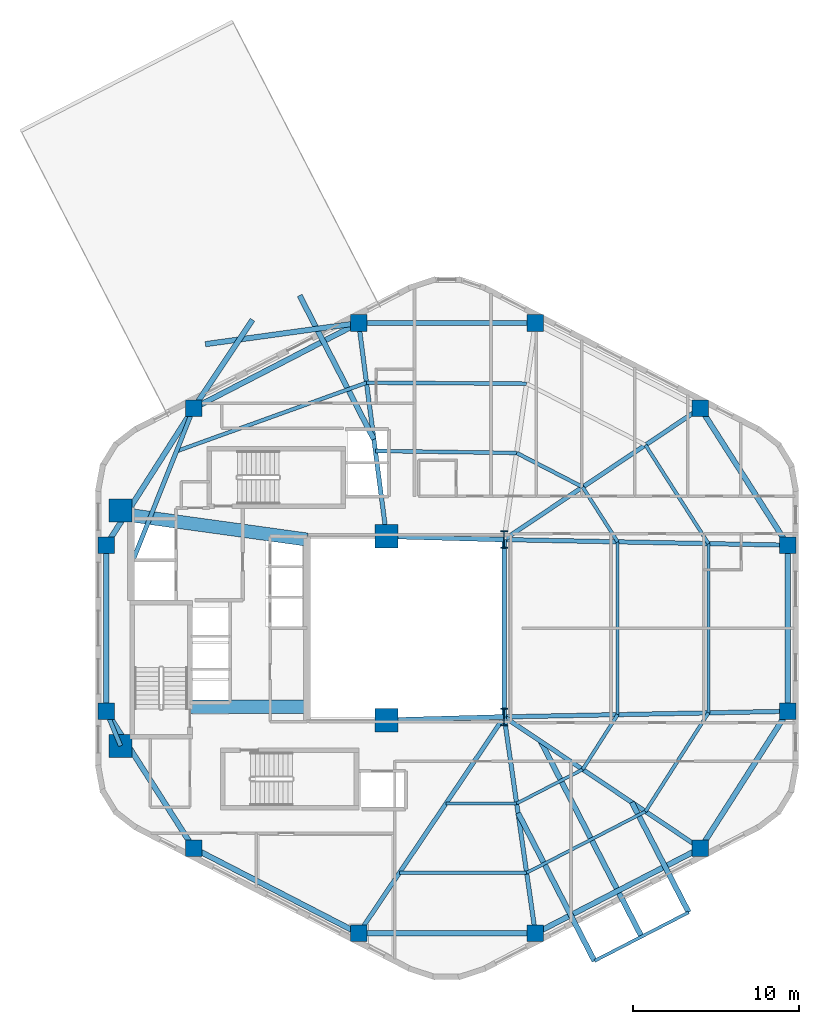
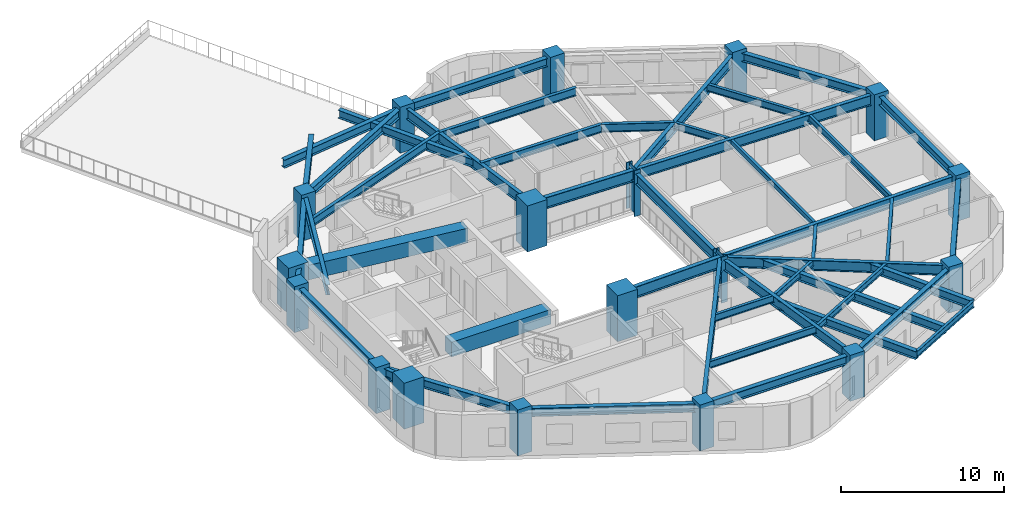
# One storey, part 1 of 8: 46 beams, 18 columns.
"""IFC4 building model written with IfcOpenShell, lengths in metres."""

from ifc_helpers import new_model, si_unit, direction, frame, origin, origin_2d, place, context, subcontext, project, spatial, rectangle, i_section, extrude, material, material_profile, profile_set, type_object, element, save


model = new_model("IFC4")

# Units and contexts
model_context = context("Model", 3, precision=1e-05, world=origin(), true_north=direction((0.0, 1.0)))
body_context = subcontext(model_context, "Body", "Model", "MODEL_VIEW")
ifc_project = project(units=[si_unit("LENGTHUNIT", "METRE"), si_unit("AREAUNIT", "SQUARE_METRE"), si_unit("VOLUMEUNIT", "CUBIC_METRE"), si_unit("PLANEANGLEUNIT", "RADIAN"), si_unit("MASSUNIT", "GRAM", prefix="KILO"), si_unit("THERMODYNAMICTEMPERATUREUNIT", "KELVIN"), si_unit("POWERUNIT", "WATT")], contexts=[model_context])

# Site, building, storey
site_placement = place(None, origin())
site = spatial("IfcSite", under=ifc_project, at=site_placement, CompositionType="ELEMENT")
building_placement = place(site_placement, origin())
building = spatial("IfcBuilding", under=site, at=building_placement, Name="Skarre Station Tower", CompositionType="ELEMENT")
storey_placement = place(building_placement, frame((0.0, 0.0, 149.85009765625)))
storey = spatial("IfcBuildingStorey", under=building, at=storey_placement, Name="L40", CompositionType="ELEMENT", Elevation=149.85009765625)

# Columns
ifc_material_1 = material(Name="Concrete C60/75", Category="concrete")
ifc_material_profile_1 = material_profile(ifc_material_1, rectangle(XDim=1.0, YDim=1.0, at=origin_2d()), Name="Concrete C60/75")
ifc_profile_set_1 = profile_set([ifc_material_profile_1], Name="Concrete C60/75")
column_type_1 = type_object("IfcColumnType", Name="RC Structural Column RC-COL-1000X1000", PredefinedType="COLUMN", material=ifc_profile_set_1)
for number, where, z_axis, x_axis, name in (
    (1, (51.291015625, 37.277099609375, 0.0), (0.0, 0.0, 1.0), (1.0, 0.0, 0.0), "L40 Zone 2 Perimeter Column F0C1"),
    (2, (41.3310546875, 42.41796875, 0.0), (0.0, 0.0, 1.0), (1.0, 0.0, 0.0), "L40 Zone 2 Perimeter Column F0C2"),
    (3, (30.6689453125, 42.41796875, 0.0), (0.0, 0.0, 1.0), (1.0, 0.0, 0.0), "L40 Zone 2 Perimeter Column F1C1"),
    (4, (20.708984375, 37.277099609375, 0.0), (0.0, 0.0, 1.0), (1.0, 0.0, 0.0), "L40 Zone 2 Perimeter Column F1C2"),
    (5, (15.431884765625, 29.010986328125, 0.0), (0.0, 0.0, 1.0), (1.0, 0.0, 0.0), "L40 Zone 2 Perimeter Column F2C1"),
    (6, (15.431884765625, 18.989013671875, 0.0), (0.0, 0.0, 1.0), (1.0, 0.0, 0.0), "L40 Zone 2 Perimeter Column F2C2"),
    (7, (20.708984375, 10.722900390625, 0.0), (0.0, 0.0, 1.0), (1.0, 0.0, 0.0), "L40 Zone 2 Perimeter Column F3C1"),
    (8, (30.6689453125, 5.58203125, 0.0), (0.0, 0.0, 1.0), (1.0, 0.0, 0.0), "L40 Zone 2 Perimeter Column F3C2"),
    (9, (41.3310546875, 5.58203125, 0.0), (0.0, 0.0, 1.0), (1.0, 0.0, 0.0), "L40 Zone 2 Perimeter Column F4C1"),
    (10, (51.291015625, 10.722900390625, 0.0), (0.0, 0.0, 1.0), (1.0, 0.0, 0.0), "L40 Zone 2 Perimeter Column F4C2"),
    (11, (56.568115234375, 18.989013671875, 0.0), (0.0, 0.0, 1.0), (1.0, 0.0, 0.0), "L40 Zone 2 Perimeter Column F5C1"),
    (12, (56.568115234375, 29.010986328125, 0.0), (0.0, 0.0, 1.0), (1.0, 0.0, 0.0), "L40 Zone 2 Perimeter Column F5C2"),
):
    element("IfcColumn", number, at=place(storey_placement, frame(where, z_axis=z_axis, x_axis=x_axis)), inside=storey, type_object=column_type_1, Name=name, PredefinedType="COLUMN", context=body_context, shape_type="SweptSolid", body=[
        extrude(rectangle(XDim=1.0, YDim=1.0, at=origin_2d()), origin(), (0.0, 0.0, 1.0), 3.449951171875),
    ])
ifc_material_2 = material(Name="Concrete C70/85", Category="concrete")
ifc_material_profile_2 = material_profile(ifc_material_2, rectangle(XDim=1.39990234375, YDim=1.39990234375, at=origin_2d()), Name="Concrete C70/85")
ifc_profile_set_2 = profile_set([ifc_material_profile_2], Name="Concrete C70/85")
column_type_2 = type_object("IfcColumnType", Name="RC Structural Column RC-COL-1400X1400", PredefinedType="COLUMN", material=ifc_profile_set_2)
for number, where, z_axis, x_axis, name in (
    (13, (16.300048828125, 16.89990234375, 0.0), (0.0, 0.0, 1.0), (1.0, 0.0, 0.0), "L40 Core Column CC-SW"),
    (14, (16.300048828125, 31.10009765625, 0.0), (0.0, 0.0, 1.0), (1.0, 0.0, 0.0), "L40 Core Column CC-NW"),
    (15, (32.35009765625, 18.449951171875, 0.0), (0.0, 0.0, 1.0), (1.0, 0.0, 0.0), "L40 Core Column CC-SE"),
    (16, (32.35009765625, 29.550048828125, 0.0), (0.0, 0.0, 1.0), (1.0, 0.0, 0.0), "L40 Core Column CC-NE"),
):
    element("IfcColumn", number, at=place(storey_placement, frame(where, z_axis=z_axis, x_axis=x_axis)), inside=storey, type_object=column_type_2, Name=name, PredefinedType="COLUMN", context=body_context, shape_type="SweptSolid", body=[
        extrude(rectangle(XDim=1.39990234375, YDim=1.39990234375, at=origin_2d()), origin(), (0.0, 0.0, 1.0), 3.449951171875),
    ])
ifc_material_3 = material(Name="Steel ASTM A913 Grade 65", Category="steel")
ifc_material_profile_3 = material_profile(ifc_material_3, i_section(OverallWidth=0.409912109375, OverallDepth=1.041015625, WebThickness=0.031005859375, FlangeThickness=0.055908203125, at=origin_2d()), Name="Steel ASTM A913 Grade 65")
ifc_profile_set_3 = profile_set([ifc_material_profile_3], Name="Steel ASTM A913 Grade 65")
column_type_3 = type_object("IfcColumnType", Name="Steel Column W40X397", PredefinedType="COLUMN", material=ifc_profile_set_3)
for number, where, z_axis, x_axis, name in (
    (17, (39.449951171875, 18.64990234375, 0.0), (0.0, 0.0, 1.0), (1.0, 0.0, 0.0), "L40 Atrium Spine Column AC-SE"),
    (18, (39.449951171875, 29.35009765625, 0.0), (0.0, 0.0, 1.0), (1.0, 0.0, 0.0), "L40 Atrium Spine Column AC-NE"),
):
    element("IfcColumn", number, at=place(storey_placement, frame(where, z_axis=z_axis, x_axis=x_axis)), inside=storey, type_object=column_type_3, Name=name, PredefinedType="COLUMN", context=body_context, shape_type="SweptSolid", body=[
        extrude(i_section(OverallWidth=0.409912109375, OverallDepth=1.041015625, WebThickness=0.031005859375, FlangeThickness=0.055908203125, at=origin_2d()), origin(), (0.0, 0.0, 1.0), 3.449951171875),
    ])

# Beams
ifc_material_profile_4 = material_profile(ifc_material_2, rectangle(XDim=0.800048828125, YDim=1.10009765625, at=origin_2d()), Name="Concrete C70/85")
ifc_profile_set_4 = profile_set([ifc_material_profile_4], Name="Concrete C70/85")
beam_type_1 = type_object("IfcBeamType", Name="RC Core Coupling Lintel 800x1100", PredefinedType="LINTEL", material=ifc_profile_set_4)
beam_1_placement = place(storey_placement, frame((20.489990234375, 19.260009765625, 2.639892578125), z_axis=(1.0, 0.0, 0.0), x_axis=(0.0, 1.0, 0.0)))
element("IfcBeam", 19, at=beam_1_placement, inside=storey, type_object=beam_type_1, Name="L40 South Core Coupling Lintel", PredefinedType="LINTEL", context=body_context, shape_type="SweptSolid", body=[
    extrude(rectangle(XDim=0.800048828125, YDim=1.10009765625, at=origin_2d()), origin(), (0.0, 0.0, 1.0), 7.06005859375),
])
beam_2_placement = place(storey_placement, frame((17.050048828125, 30.800048828125, 2.639892578125), z_axis=(0.990599723633, -0.136792498109, 0.0), x_axis=(0.136792498109, 0.990599723633, 0.0)))
element("IfcBeam", 20, at=beam_2_placement, inside=storey, type_object=beam_type_1, Name="L40 North Core Coupling Lintel", PredefinedType="LINTEL", context=body_context, shape_type="SweptSolid", body=[
    extrude(rectangle(XDim=0.800048828125, YDim=1.10009765625, at=origin_2d()), origin(), (0.0, 0.0, 1.0), 10.599609375),
])
ifc_material_4 = material(Name="Steel ASTM A992 Grade 50", Category="steel")
ifc_material_profile_5 = material_profile(ifc_material_4, i_section(OverallWidth=0.323974609375, OverallDepth=0.611083984375, WebThickness=0.012939453125, FlangeThickness=0.01904296875, at=origin_2d()), Name="Steel ASTM A992 Grade 50")
ifc_profile_set_5 = profile_set([ifc_material_profile_5], Name="Steel ASTM A992 Grade 50")
beam_type_2 = type_object("IfcBeamType", Name="Steel Beam W24X104", PredefinedType="BEAM", material=ifc_profile_set_5)
beam_3_placement = place(storey_placement, frame((20.708984375, 37.277099609375, 2.7998046875), z_axis=(0.554374893847, 0.83226707076, 0.0), x_axis=(-0.83226707076, 0.554374893847, 0.0)))
element("IfcBeam", 21, at=beam_3_placement, inside=storey, type_object=beam_type_2, Name="L40 TB-L41-F1 Center Outrigger Beam", PredefinedType="BEAM", context=body_context, shape_type="SweptSolid", body=[
    extrude(i_section(OverallWidth=0.323974609375, OverallDepth=0.611083984375, WebThickness=0.012939453125, FlangeThickness=0.01904296875, at=origin_2d()), origin(), (0.0, 0.0, 1.0), 6.408935546875),
])
beam_4_placement = place(storey_placement, frame((31.5859375, 35.39990234375, 2.7998046875), z_axis=(-0.458674754845, 0.888604225326, 0.0), x_axis=(-0.888604225326, -0.458674754845, 0.0)))
element("IfcBeam", 22, at=beam_4_placement, inside=storey, type_object=beam_type_2, Name="L40 TB-L41-F1 Outrigger Beam 1", PredefinedType="BEAM", context=body_context, shape_type="SweptSolid", body=[
    extrude(i_section(OverallWidth=0.323974609375, OverallDepth=0.611083984375, WebThickness=0.012939453125, FlangeThickness=0.01904296875, at=origin_2d()), origin(), (0.0, 0.0, 1.0), 9.767333984375),
])
beam_5_placement = place(storey_placement, frame((30.6689453125, 42.41796875, 2.7998046875), z_axis=(-0.990635036315, -0.13653653293, 0.0), x_axis=(0.13653653293, -0.990635036315, 0.0)))
element("IfcBeam", 23, at=beam_5_placement, inside=storey, type_object=beam_type_2, Name="L40 TB-L41-F1 Outrigger Beam 2", PredefinedType="BEAM", context=body_context, shape_type="SweptSolid", body=[
    extrude(i_section(OverallWidth=0.323974609375, OverallDepth=0.611083984375, WebThickness=0.012939453125, FlangeThickness=0.01904296875, at=origin_2d()), origin(), (0.0, 0.0, 1.0), 9.33740234375),
])
beam_6_placement = place(storey_placement, frame((41.655029296875, 17.174072265625, 2.7998046875), z_axis=(0.458663551569, -0.888610008081, 0.0), x_axis=(0.888610008081, 0.458663551569, 0.0)))
element("IfcBeam", 24, at=beam_6_placement, inside=storey, type_object=beam_type_2, Name="L40 TB-L41-F4 Center Outrigger Beam", PredefinedType="BEAM", context=body_context, shape_type="SweptSolid", body=[
    extrude(i_section(OverallWidth=0.323974609375, OverallDepth=0.611083984375, WebThickness=0.012939453125, FlangeThickness=0.01904296875, at=origin_2d()), origin(), (0.0, 0.0, 1.0), 13.262451171875),
])
beam_7_placement = place(storey_placement, frame((40.284912109375, 12.85009765625, 2.7998046875), z_axis=(0.458683146358, -0.888599893792, 0.0), x_axis=(0.888599893792, 0.458683146358, 0.0)))
element("IfcBeam", 25, at=beam_7_placement, inside=storey, type_object=beam_type_2, Name="L40 TB-L41-F4 Outrigger Beam 1", PredefinedType="BEAM", context=body_context, shape_type="SweptSolid", body=[
    extrude(i_section(OverallWidth=0.323974609375, OverallDepth=0.611083984375, WebThickness=0.012939453125, FlangeThickness=0.01904296875, at=origin_2d()), origin(), (0.0, 0.0, 1.0), 10.048583984375),
])
beam_8_placement = place(storey_placement, frame((47.156982421875, 13.490966796875, 2.7998046875), z_axis=(0.458648750807, -0.888617647463, 0.0), x_axis=(0.888617647463, 0.458648750807, 0.0)))
element("IfcBeam", 26, at=beam_8_placement, inside=storey, type_object=beam_type_2, Name="L40 TB-L41-F4 Outrigger Beam 2", PredefinedType="BEAM", context=body_context, shape_type="SweptSolid", body=[
    extrude(i_section(OverallWidth=0.323974609375, OverallDepth=0.611083984375, WebThickness=0.012939453125, FlangeThickness=0.01904296875, at=origin_2d()), origin(), (0.0, 0.0, 1.0), 7.465576171875),
])
ifc_material_profile_6 = material_profile(ifc_material_4, i_section(OverallWidth=0.26806640625, OverallDepth=0.77001953125, WebThickness=0.01611328125, FlangeThickness=0.02490234375, at=origin_2d()), Name="Steel ASTM A992 Grade 50")
ifc_profile_set_6 = profile_set([ifc_material_profile_6], Name="Steel ASTM A992 Grade 50")
beam_type_3 = type_object("IfcBeamType", Name="Steel Beam W30X132", PredefinedType="BEAM", material=ifc_profile_set_6)
beam_9_placement = place(storey_placement, frame((39.449951171875, 18.64990234375, 2.804931640625), z_axis=(0.0, 1.0, 0.0), x_axis=(-1.0, 0.0, 0.0)))
element("IfcBeam", 27, at=beam_9_placement, inside=storey, type_object=beam_type_3, Name="L40 Atrium East Edge Girder", PredefinedType="BEAM", context=body_context, shape_type="SweptSolid", body=[
    extrude(i_section(OverallWidth=0.26806640625, OverallDepth=0.77001953125, WebThickness=0.01611328125, FlangeThickness=0.02490234375, at=origin_2d()), origin(), (0.0, 0.0, 1.0), 10.7001953125),
])
beam_10_placement = place(storey_placement, frame((39.449951171875, 29.35009765625, 2.804931640625), z_axis=(0.830981218317, 0.556300471692, 0.0), x_axis=(-0.556300471692, 0.830981218317, 0.0)))
element("IfcBeam", 28, at=beam_10_placement, inside=storey, type_object=beam_type_3, Name="L40 Radial Floor Girder F0C1", PredefinedType="BEAM", context=body_context, shape_type="SweptSolid", body=[
    extrude(i_section(OverallWidth=0.26806640625, OverallDepth=0.77001953125, WebThickness=0.01611328125, FlangeThickness=0.02490234375, at=origin_2d()), origin(), (0.0, 0.0, 1.0), 14.24951171875),
])
beam_11_placement = place(storey_placement, frame((32.35009765625, 29.550048828125, 2.804931640625), z_axis=(-0.129545878778, 0.991573429097, 0.0), x_axis=(-0.991573429097, -0.129545878778, 0.0)))
element("IfcBeam", 29, at=beam_11_placement, inside=storey, type_object=beam_type_3, Name="L40 Radial Floor Girder F1C1", PredefinedType="BEAM", context=body_context, shape_type="SweptSolid", body=[
    extrude(i_section(OverallWidth=0.26806640625, OverallDepth=0.77001953125, WebThickness=0.01611328125, FlangeThickness=0.02490234375, at=origin_2d()), origin(), (0.0, 0.0, 1.0), 12.977294921875),
])
beam_12_placement = place(storey_placement, frame((17.010009765625, 28.0, 2.804931640625), z_axis=(0.370366288946, 0.928885790618, 0.0), x_axis=(-0.928885790618, 0.370366288946, 0.0)))
element("IfcBeam", 30, at=beam_12_placement, inside=storey, type_object=beam_type_3, Name="L40 Radial Floor Girder F1C2", PredefinedType="BEAM", context=body_context, shape_type="SweptSolid", body=[
    extrude(i_section(OverallWidth=0.26806640625, OverallDepth=0.77001953125, WebThickness=0.01611328125, FlangeThickness=0.02490234375, at=origin_2d()), origin(), (0.0, 0.0, 1.0), 9.9873046875),
])
beam_13_placement = place(storey_placement, frame((16.300048828125, 16.89990234375, 2.804931640625), z_axis=(-0.383749333092, 0.923437301256, 0.0), x_axis=(-0.923437301256, -0.383749333092, 0.0)))
element("IfcBeam", 31, at=beam_13_placement, inside=storey, type_object=beam_type_3, Name="L40 Radial Floor Girder F2C2", PredefinedType="BEAM", context=body_context, shape_type="SweptSolid", body=[
    extrude(i_section(OverallWidth=0.26806640625, OverallDepth=0.77001953125, WebThickness=0.01611328125, FlangeThickness=0.02490234375, at=origin_2d()), origin(), (0.0, 0.0, 1.0), 2.26220703125),
])
beam_14_placement = place(storey_placement, frame((39.449951171875, 18.64990234375, 2.804931640625), z_axis=(-0.55773464691, -0.830019315219, 0.0), x_axis=(0.830019315219, -0.55773464691, 0.0)))
element("IfcBeam", 32, at=beam_14_placement, inside=storey, type_object=beam_type_3, Name="L40 Radial Floor Girder F3C2", PredefinedType="BEAM", context=body_context, shape_type="SweptSolid", body=[
    extrude(i_section(OverallWidth=0.26806640625, OverallDepth=0.77001953125, WebThickness=0.01611328125, FlangeThickness=0.02490234375, at=origin_2d()), origin(), (0.0, 0.0, 1.0), 15.744140625),
])
beam_15_placement = place(storey_placement, frame((39.449951171875, 18.64990234375, 2.804931640625), z_axis=(0.142480121776, -0.989797663616, 0.0), x_axis=(0.989797663616, 0.142480121776, 0.0)))
element("IfcBeam", 33, at=beam_15_placement, inside=storey, type_object=beam_type_3, Name="L40 Radial Floor Girder F4C1", PredefinedType="BEAM", context=body_context, shape_type="SweptSolid", body=[
    extrude(i_section(OverallWidth=0.26806640625, OverallDepth=0.77001953125, WebThickness=0.01611328125, FlangeThickness=0.02490234375, at=origin_2d()), origin(), (0.0, 0.0, 1.0), 13.20263671875),
])
beam_16_placement = place(storey_placement, frame((39.449951171875, 18.64990234375, 2.804931640625), z_axis=(0.830981218317, -0.556300471692, 0.0), x_axis=(0.556300471692, 0.830981218317, 0.0)))
element("IfcBeam", 34, at=beam_16_placement, inside=storey, type_object=beam_type_3, Name="L40 Radial Floor Girder F4C2", PredefinedType="BEAM", context=body_context, shape_type="SweptSolid", body=[
    extrude(i_section(OverallWidth=0.26806640625, OverallDepth=0.77001953125, WebThickness=0.01611328125, FlangeThickness=0.02490234375, at=origin_2d()), origin(), (0.0, 0.0, 1.0), 14.24951171875),
])
for number, where, z_axis, x_axis, name in (
    (35, (39.449951171875, 18.64990234375, 2.804931640625), (0.999803839107, 0.019806143142, 0.0), (-0.019806143142, 0.999803839107, 0.0), "L40 Radial Floor Girder F5C1"),
    (36, (39.449951171875, 29.35009765625, 2.804931640625), (0.999803839107, -0.019806143142, 0.0), (0.019806143142, 0.999803839107, 0.0), "L40 Radial Floor Girder F5C2"),
):
    element("IfcBeam", number, at=place(storey_placement, frame(where, z_axis=z_axis, x_axis=x_axis)), inside=storey, type_object=beam_type_3, Name=name, PredefinedType="BEAM", context=body_context, shape_type="SweptSolid", body=[
        extrude(i_section(OverallWidth=0.26806640625, OverallDepth=0.77001953125, WebThickness=0.01611328125, FlangeThickness=0.02490234375, at=origin_2d()), origin(), (0.0, 0.0, 1.0), 17.12158203125),
    ])
ifc_material_profile_7 = material_profile(ifc_material_4, i_section(OverallWidth=0.2919921875, OverallDepth=0.85888671875, WebThickness=0.01708984375, FlangeThickness=0.031005859375, at=origin_2d()), Name="Steel ASTM A992 Grade 50")
ifc_profile_set_7 = profile_set([ifc_material_profile_7], Name="Steel ASTM A992 Grade 50")
beam_type_4 = type_object("IfcBeamType", Name="Steel Beam W33X169", PredefinedType="BEAM", material=ifc_profile_set_7)
for number, where, z_axis, x_axis, name in (
    (37, (32.35009765625, 18.449951171875, 2.760986328125), (0.999603666405, 0.028151556095, 0.0), (-0.028151556095, 0.999603666405, 0.0), "L40 Atrium South Edge Girder"),
    (38, (32.35009765625, 29.550048828125, 2.760986328125), (0.999603666405, -0.028151556095, 0.0), (0.028151556095, 0.999603666405, 0.0), "L40 Atrium North Edge Girder"),
):
    element("IfcBeam", number, at=place(storey_placement, frame(where, z_axis=z_axis, x_axis=x_axis)), inside=storey, type_object=beam_type_4, Name=name, PredefinedType="BEAM", context=body_context, shape_type="SweptSolid", body=[
        extrude(i_section(OverallWidth=0.2919921875, OverallDepth=0.85888671875, WebThickness=0.01708984375, FlangeThickness=0.031005859375, at=origin_2d()), origin(), (0.0, 0.0, 1.0), 7.102783203125),
    ])
ifc_material_profile_8 = material_profile(ifc_material_4, i_section(OverallWidth=0.19091796875, OverallDepth=0.45703125, WebThickness=0.009033203125, FlangeThickness=0.013916015625, at=origin_2d()), Name="Steel ASTM A992 Grade 50")
ifc_profile_set_8 = profile_set([ifc_material_profile_8], Name="Steel ASTM A992 Grade 50")
beam_type_5 = type_object("IfcBeamType", Name="Steel Joist W18X50", PredefinedType="JOIST", material=ifc_profile_set_8)
beam_17_placement = place(storey_placement, frame((40.201904296875, 13.423095703125, 2.9609375), z_axis=(0.888658598325, 0.458569401097, 0.0), x_axis=(-0.458569401097, 0.888658598325, 0.0)))
element("IfcBeam", 39, at=beam_17_placement, inside=storey, type_object=beam_type_5, Name="L40 Auxiliary Composite Joist 9", PredefinedType="JOIST", context=body_context, shape_type="SweptSolid", body=[
    extrude(i_section(OverallWidth=0.19091796875, OverallDepth=0.45703125, WebThickness=0.009033203125, FlangeThickness=0.013916015625, at=origin_2d()), origin(), (0.0, 0.0, 1.0), 4.4833984375),
])
beam_18_placement = place(storey_placement, frame((40.803955078125, 9.240966796875, 2.9609375), z_axis=(0.888599977053, 0.458682985057, 0.0), x_axis=(-0.458682985057, 0.888599977053, 0.0)))
element("IfcBeam", 40, at=beam_18_placement, inside=storey, type_object=beam_type_5, Name="L40 Auxiliary Composite Joist 10", PredefinedType="JOIST", context=body_context, shape_type="SweptSolid", body=[
    extrude(i_section(OverallWidth=0.19091796875, OverallDepth=0.45703125, WebThickness=0.009033203125, FlangeThickness=0.013916015625, at=origin_2d()), origin(), (0.0, 0.0, 1.0), 8.0712890625),
])
beam_19_placement = place(storey_placement, frame((46.297119140625, 18.785888671875, 2.9609375), z_axis=(0.0, 1.0, 0.0), x_axis=(-1.0, 0.0, 0.0)))
element("IfcBeam", 41, at=beam_19_placement, inside=storey, type_object=beam_type_5, Name="L40 Auxiliary Composite Joist 13", PredefinedType="JOIST", context=body_context, shape_type="SweptSolid", body=[
    extrude(i_section(OverallWidth=0.19091796875, OverallDepth=0.45703125, WebThickness=0.009033203125, FlangeThickness=0.013916015625, at=origin_2d()), origin(), (0.0, 0.0, 1.0), 10.42822265625),
])
beam_20_placement = place(storey_placement, frame((51.77490234375, 18.89404296875, 2.9609375), z_axis=(0.0, 1.0, 0.0), x_axis=(-1.0, 0.0, 0.0)))
element("IfcBeam", 42, at=beam_20_placement, inside=storey, type_object=beam_type_5, Name="L40 Auxiliary Composite Joist 14", PredefinedType="JOIST", context=body_context, shape_type="SweptSolid", body=[
    extrude(i_section(OverallWidth=0.19091796875, OverallDepth=0.45703125, WebThickness=0.009033203125, FlangeThickness=0.013916015625, at=origin_2d()), origin(), (0.0, 0.0, 1.0), 10.2119140625),
])
beam_21_placement = place(storey_placement, frame((44.89404296875, 3.9208984375, 2.876953125), z_axis=(0.888569497845, 0.458742027178, 0.0), x_axis=(-0.458742027178, 0.888569497845, 0.0)))
element("IfcBeam", 43, at=beam_21_placement, inside=storey, type_object=beam_type_5, Name="L40 TB-L41-F4 Rim Beam", PredefinedType="JOIST", context=body_context, shape_type="SweptSolid", body=[
    extrude(i_section(OverallWidth=0.19091796875, OverallDepth=0.45703125, WebThickness=0.009033203125, FlangeThickness=0.013916015625, at=origin_2d()), origin(), (0.0, 0.0, 1.0), 6.400146484375),
])
ifc_material_profile_9 = material_profile(ifc_material_4, i_section(OverallWidth=0.208984375, OverallDepth=0.532958984375, WebThickness=0.010009765625, FlangeThickness=0.01611328125, at=origin_2d()), Name="Steel ASTM A992 Grade 50")
ifc_profile_set_9 = profile_set([ifc_material_profile_9], Name="Steel ASTM A992 Grade 50")
beam_type_6 = type_object("IfcBeamType", Name="Steel Joist W21X62", PredefinedType="JOIST", material=ifc_profile_set_9)
beam_22_placement = place(storey_placement, frame((35.93798828125, 13.423095703125, 2.9228515625), z_axis=(1.0, 0.0, 0.0), x_axis=(0.0, 1.0, 0.0)))
element("IfcBeam", 44, at=beam_22_placement, inside=storey, type_object=beam_type_6, Name="L40 Auxiliary Composite Joist 7", PredefinedType="JOIST", context=body_context, shape_type="SweptSolid", body=[
    extrude(i_section(OverallWidth=0.208984375, OverallDepth=0.532958984375, WebThickness=0.010009765625, FlangeThickness=0.01611328125, at=origin_2d()), origin(), (0.0, 0.0, 1.0), 4.263916015625),
])
beam_23_placement = place(storey_placement, frame((33.1279296875, 9.240966796875, 2.9228515625), z_axis=(1.0, 0.0, 0.0), x_axis=(0.0, 1.0, 0.0)))
element("IfcBeam", 45, at=beam_23_placement, inside=storey, type_object=beam_type_6, Name="L40 Auxiliary Composite Joist 8", PredefinedType="JOIST", context=body_context, shape_type="SweptSolid", body=[
    extrude(i_section(OverallWidth=0.208984375, OverallDepth=0.532958984375, WebThickness=0.010009765625, FlangeThickness=0.01611328125, at=origin_2d()), origin(), (0.0, 0.0, 1.0), 7.676025390625),
])
beam_24_placement = place(storey_placement, frame((44.18603515625, 15.47900390625, 2.9228515625), z_axis=(0.538090955129, 0.842886780065, 0.0), x_axis=(-0.842886780065, 0.538090955129, 0.0)))
element("IfcBeam", 46, at=beam_24_placement, inside=storey, type_object=beam_type_6, Name="L40 Auxiliary Composite Joist 11", PredefinedType="JOIST", context=body_context, shape_type="SweptSolid", body=[
    extrude(i_section(OverallWidth=0.208984375, OverallDepth=0.532958984375, WebThickness=0.010009765625, FlangeThickness=0.01611328125, at=origin_2d()), origin(), (0.0, 0.0, 1.0), 3.92333984375),
])
beam_25_placement = place(storey_placement, frame((47.97607421875, 12.943115234375, 2.9228515625), z_axis=(0.538072046089, 0.842898851119, 0.0), x_axis=(-0.842898851119, 0.538072046089, 0.0)))
element("IfcBeam", 47, at=beam_25_placement, inside=storey, type_object=beam_type_6, Name="L40 Auxiliary Composite Joist 12", PredefinedType="JOIST", context=body_context, shape_type="SweptSolid", body=[
    extrude(i_section(OverallWidth=0.208984375, OverallDepth=0.532958984375, WebThickness=0.010009765625, FlangeThickness=0.01611328125, at=origin_2d()), origin(), (0.0, 0.0, 1.0), 7.06005859375),
])
beam_26_placement = place(storey_placement, frame((46.297119140625, 29.214111328125, 2.9228515625), z_axis=(-0.538090955129, 0.842886780065, 0.0), x_axis=(-0.842886780065, -0.538090955129, 0.0)))
element("IfcBeam", 48, at=beam_26_placement, inside=storey, type_object=beam_type_6, Name="L40 Auxiliary Composite Joist 15", PredefinedType="JOIST", context=body_context, shape_type="SweptSolid", body=[
    extrude(i_section(OverallWidth=0.208984375, OverallDepth=0.532958984375, WebThickness=0.010009765625, FlangeThickness=0.01611328125, at=origin_2d()), origin(), (0.0, 0.0, 1.0), 3.92333984375),
])
beam_27_placement = place(storey_placement, frame((51.77490234375, 29.10595703125, 2.9228515625), z_axis=(-0.538072046089, 0.842898851119, 0.0), x_axis=(-0.842898851119, -0.538072046089, 0.0)))
element("IfcBeam", 49, at=beam_27_placement, inside=storey, type_object=beam_type_6, Name="L40 Auxiliary Composite Joist 16", PredefinedType="JOIST", context=body_context, shape_type="SweptSolid", body=[
    extrude(i_section(OverallWidth=0.208984375, OverallDepth=0.532958984375, WebThickness=0.010009765625, FlangeThickness=0.01611328125, at=origin_2d()), origin(), (0.0, 0.0, 1.0), 7.06005859375),
])
ifc_material_profile_10 = material_profile(ifc_material_4, i_section(OverallWidth=0.22802734375, OverallDepth=0.60791015625, WebThickness=0.010986328125, FlangeThickness=0.01708984375, at=origin_2d()), Name="Steel ASTM A992 Grade 50")
ifc_profile_set_10 = profile_set([ifc_material_profile_10], Name="Steel ASTM A992 Grade 50")
beam_type_7 = type_object("IfcBeamType", Name="Steel Joist W24X76", PredefinedType="JOIST", material=ifc_profile_set_10)
beam_28_placement = place(storey_placement, frame((44.18603515625, 32.52099609375, 2.885986328125), z_axis=(-0.888658598325, 0.458569401097, 0.0), x_axis=(-0.458569401097, -0.888658598325, 0.0)))
element("IfcBeam", 50, at=beam_28_placement, inside=storey, type_object=beam_type_7, Name="L40 Secondary Floor Joist 1", PredefinedType="JOIST", context=body_context, shape_type="SweptSolid", body=[
    extrude(i_section(OverallWidth=0.22802734375, OverallDepth=0.60791015625, WebThickness=0.010986328125, FlangeThickness=0.01708984375, at=origin_2d()), origin(), (0.0, 0.0, 1.0), 4.4833984375),
])
beam_29_placement = place(storey_placement, frame((40.201904296875, 34.576904296875, 2.885986328125), z_axis=(-0.999900725817, 0.014090369396, 0.0), x_axis=(-0.014090369396, -0.999900725817, 0.0)))
element("IfcBeam", 51, at=beam_29_placement, inside=storey, type_object=beam_type_7, Name="L40 Secondary Floor Joist 3", PredefinedType="JOIST", context=body_context, shape_type="SweptSolid", body=[
    extrude(i_section(OverallWidth=0.22802734375, OverallDepth=0.60791015625, WebThickness=0.010986328125, FlangeThickness=0.01708984375, at=origin_2d()), origin(), (0.0, 0.0, 1.0), 8.524658203125),
])
beam_30_placement = place(storey_placement, frame((40.803955078125, 38.759033203125, 2.885986328125), z_axis=(-0.999983266349, 0.005785068917, 0.0), x_axis=(-0.005785068917, -0.999983266349, 0.0)))
element("IfcBeam", 52, at=beam_30_placement, inside=storey, type_object=beam_type_7, Name="L40 Secondary Floor Joist 4", PredefinedType="JOIST", context=body_context, shape_type="SweptSolid", body=[
    extrude(i_section(OverallWidth=0.22802734375, OverallDepth=0.60791015625, WebThickness=0.010986328125, FlangeThickness=0.01708984375, at=origin_2d()), origin(), (0.0, 0.0, 1.0), 9.664306640625),
])
beam_31_placement = place(storey_placement, frame((31.139892578125, 38.81494140625, 2.885986328125), z_axis=(-0.940679663546, -0.339295992594, 0.0), x_axis=(0.339295992594, -0.940679663546, 0.0)))
element("IfcBeam", 53, at=beam_31_placement, inside=storey, type_object=beam_type_7, Name="L40 Secondary Floor Joist 6", PredefinedType="JOIST", context=body_context, shape_type="SweptSolid", body=[
    extrude(i_section(OverallWidth=0.22802734375, OverallDepth=0.60791015625, WebThickness=0.010986328125, FlangeThickness=0.01708984375, at=origin_2d()), origin(), (0.0, 0.0, 1.0), 12.18994140625),
])
ifc_material_profile_11 = material_profile(ifc_material_4, i_section(OverallWidth=0.327880859375, OverallDepth=0.6279296875, WebThickness=0.01708984375, FlangeThickness=0.028076171875, at=origin_2d()), Name="Steel ASTM A992 Grade 50")
ifc_profile_set_11 = profile_set([ifc_material_profile_11], Name="Steel ASTM A992 Grade 50")
beam_type_8 = type_object("IfcBeamType", Name="Steel Spandrel W24X146", PredefinedType="SPANDREL", material=ifc_profile_set_11)
beam_32_placement = place(storey_placement, frame((41.3310546875, 42.41796875, 2.8759765625), z_axis=(-1.0, 0.0, 0.0), x_axis=(0.0, -1.0, 0.0)))
element("IfcBeam", 54, at=beam_32_placement, inside=storey, type_object=beam_type_8, Name="L40 Facet Spandrel Beam 2", PredefinedType="SPANDREL", context=body_context, shape_type="SweptSolid", body=[
    extrude(i_section(OverallWidth=0.327880859375, OverallDepth=0.6279296875, WebThickness=0.01708984375, FlangeThickness=0.028076171875, at=origin_2d()), origin(), (0.0, 0.0, 1.0), 10.662109375),
])
beam_33_placement = place(storey_placement, frame((30.6689453125, 42.41796875, 2.8759765625), z_axis=(-0.888611779493, -0.458660119639, 0.0), x_axis=(0.458660119639, -0.888611779493, 0.0)))
element("IfcBeam", 55, at=beam_33_placement, inside=storey, type_object=beam_type_8, Name="L40 Facet Spandrel Beam 3", PredefinedType="SPANDREL", context=body_context, shape_type="SweptSolid", body=[
    extrude(i_section(OverallWidth=0.327880859375, OverallDepth=0.6279296875, WebThickness=0.01708984375, FlangeThickness=0.028076171875, at=origin_2d()), origin(), (0.0, 0.0, 1.0), 11.20849609375),
])
beam_34_placement = place(storey_placement, frame((20.708984375, 37.277099609375, 2.8759765625), z_axis=(-0.538097547923, -0.842882571251, 0.0), x_axis=(0.842882571251, -0.538097547923, 0.0)))
element("IfcBeam", 56, at=beam_34_placement, inside=storey, type_object=beam_type_8, Name="L40 Facet Spandrel Beam 4", PredefinedType="SPANDREL", context=body_context, shape_type="SweptSolid", body=[
    extrude(i_section(OverallWidth=0.327880859375, OverallDepth=0.6279296875, WebThickness=0.01708984375, FlangeThickness=0.028076171875, at=origin_2d()), origin(), (0.0, 0.0, 1.0), 9.806884765625),
])
beam_35_placement = place(storey_placement, frame((15.431884765625, 29.010986328125, 2.8759765625), z_axis=(0.0, -1.0, 0.0), x_axis=(1.0, 0.0, 0.0)))
element("IfcBeam", 57, at=beam_35_placement, inside=storey, type_object=beam_type_8, Name="L40 Facet Spandrel Beam 5", PredefinedType="SPANDREL", context=body_context, shape_type="SweptSolid", body=[
    extrude(i_section(OverallWidth=0.327880859375, OverallDepth=0.6279296875, WebThickness=0.01708984375, FlangeThickness=0.028076171875, at=origin_2d()), origin(), (0.0, 0.0, 1.0), 10.02197265625),
])
beam_36_placement = place(storey_placement, frame((15.431884765625, 18.989013671875, 2.8759765625), z_axis=(0.538097547923, -0.842882571251, 0.0), x_axis=(0.842882571251, 0.538097547923, 0.0)))
element("IfcBeam", 58, at=beam_36_placement, inside=storey, type_object=beam_type_8, Name="L40 Facet Spandrel Beam 6", PredefinedType="SPANDREL", context=body_context, shape_type="SweptSolid", body=[
    extrude(i_section(OverallWidth=0.327880859375, OverallDepth=0.6279296875, WebThickness=0.01708984375, FlangeThickness=0.028076171875, at=origin_2d()), origin(), (0.0, 0.0, 1.0), 9.806884765625),
])
beam_37_placement = place(storey_placement, frame((20.708984375, 10.722900390625, 2.8759765625), z_axis=(0.888611779493, -0.458660119639, 0.0), x_axis=(0.458660119639, 0.888611779493, 0.0)))
element("IfcBeam", 59, at=beam_37_placement, inside=storey, type_object=beam_type_8, Name="L40 Facet Spandrel Beam 7", PredefinedType="SPANDREL", context=body_context, shape_type="SweptSolid", body=[
    extrude(i_section(OverallWidth=0.327880859375, OverallDepth=0.6279296875, WebThickness=0.01708984375, FlangeThickness=0.028076171875, at=origin_2d()), origin(), (0.0, 0.0, 1.0), 11.20849609375),
])
beam_38_placement = place(storey_placement, frame((30.6689453125, 5.58203125, 2.8759765625), z_axis=(1.0, 0.0, 0.0), x_axis=(0.0, 1.0, 0.0)))
element("IfcBeam", 60, at=beam_38_placement, inside=storey, type_object=beam_type_8, Name="L40 Facet Spandrel Beam 8", PredefinedType="SPANDREL", context=body_context, shape_type="SweptSolid", body=[
    extrude(i_section(OverallWidth=0.327880859375, OverallDepth=0.6279296875, WebThickness=0.01708984375, FlangeThickness=0.028076171875, at=origin_2d()), origin(), (0.0, 0.0, 1.0), 10.662109375),
])
beam_39_placement = place(storey_placement, frame((41.3310546875, 5.58203125, 2.8759765625), z_axis=(0.888611779493, 0.458660119639, 0.0), x_axis=(-0.458660119639, 0.888611779493, 0.0)))
element("IfcBeam", 61, at=beam_39_placement, inside=storey, type_object=beam_type_8, Name="L40 Facet Spandrel Beam 9", PredefinedType="SPANDREL", context=body_context, shape_type="SweptSolid", body=[
    extrude(i_section(OverallWidth=0.327880859375, OverallDepth=0.6279296875, WebThickness=0.01708984375, FlangeThickness=0.028076171875, at=origin_2d()), origin(), (0.0, 0.0, 1.0), 11.20849609375),
])
beam_40_placement = place(storey_placement, frame((51.291015625, 10.722900390625, 2.8759765625), z_axis=(0.538097547923, 0.842882571251, 0.0), x_axis=(-0.842882571251, 0.538097547923, 0.0)))
element("IfcBeam", 62, at=beam_40_placement, inside=storey, type_object=beam_type_8, Name="L40 Facet Spandrel Beam 10", PredefinedType="SPANDREL", context=body_context, shape_type="SweptSolid", body=[
    extrude(i_section(OverallWidth=0.327880859375, OverallDepth=0.6279296875, WebThickness=0.01708984375, FlangeThickness=0.028076171875, at=origin_2d()), origin(), (0.0, 0.0, 1.0), 9.806884765625),
])
beam_41_placement = place(storey_placement, frame((56.568115234375, 18.989013671875, 2.8759765625), z_axis=(0.0, 1.0, 0.0), x_axis=(-1.0, 0.0, 0.0)))
element("IfcBeam", 63, at=beam_41_placement, inside=storey, type_object=beam_type_8, Name="L40 Facet Spandrel Beam 11", PredefinedType="SPANDREL", context=body_context, shape_type="SweptSolid", body=[
    extrude(i_section(OverallWidth=0.327880859375, OverallDepth=0.6279296875, WebThickness=0.01708984375, FlangeThickness=0.028076171875, at=origin_2d()), origin(), (0.0, 0.0, 1.0), 10.02197265625),
])
beam_42_placement = place(storey_placement, frame((56.568115234375, 29.010986328125, 2.8759765625), z_axis=(-0.538097547923, 0.842882571251, 0.0), x_axis=(-0.842882571251, -0.538097547923, 0.0)))
element("IfcBeam", 64, at=beam_42_placement, inside=storey, type_object=beam_type_8, Name="L40 Facet Spandrel Beam 12", PredefinedType="SPANDREL", context=body_context, shape_type="SweptSolid", body=[
    extrude(i_section(OverallWidth=0.327880859375, OverallDepth=0.6279296875, WebThickness=0.01708984375, FlangeThickness=0.028076171875, at=origin_2d()), origin(), (0.0, 0.0, 1.0), 9.806884765625),
])

save(model, "model.ifc")
